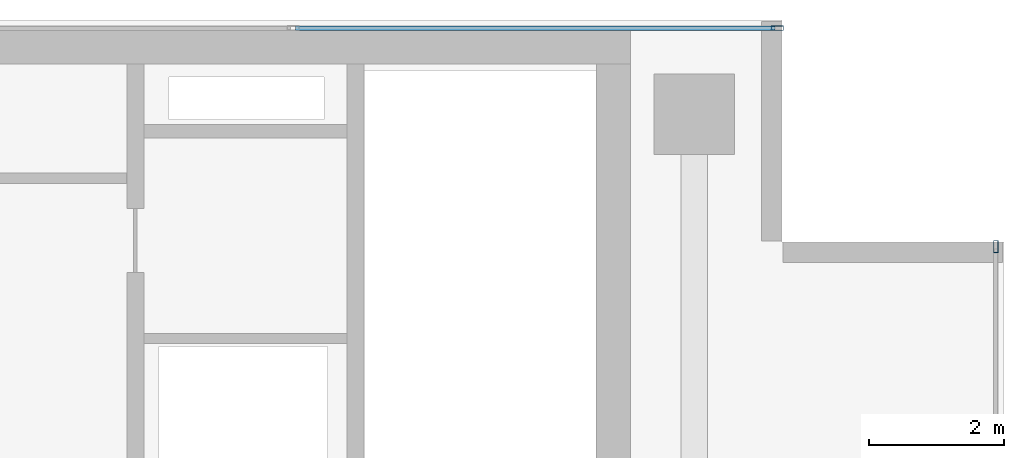
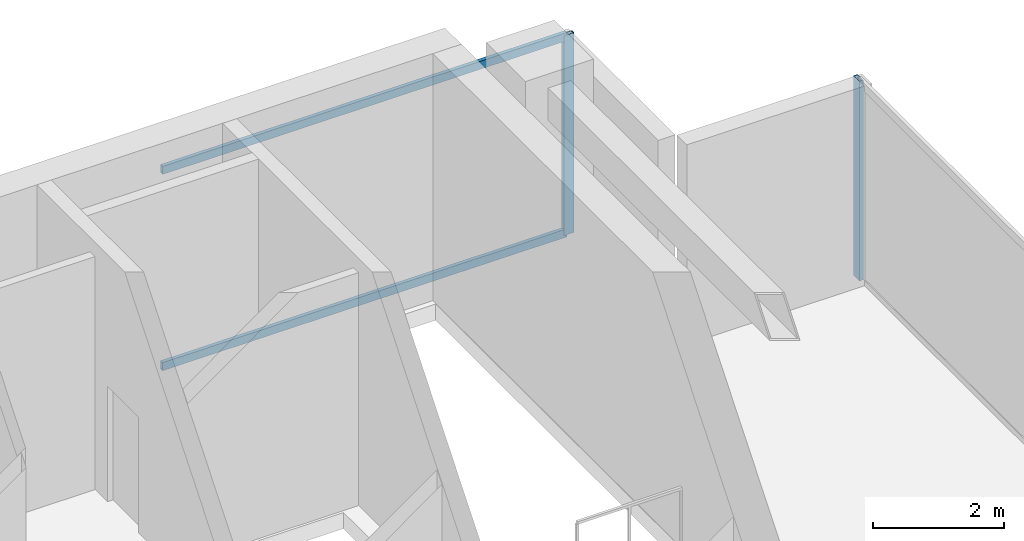
# One storey, part 14 of 19: 4 members, 2 elements without a shape of their own.
"""IFC4 building model written with IfcOpenShell, lengths in metres."""

from ifc_helpers import new_model, si_unit, direction, frame, origin, origin_2d, place, context, subcontext, project, spatial, hollow_rectangle, extrude, source, transform, mapped, material, layer, layer_set, material_profile, profile_set, type_object, element, aggregate, save


model = new_model("IFC4")

# Units and contexts
model_context = context("Model", 3, precision=1e-05, world=origin(), true_north=direction((0.0, 1.0)))
body_context = subcontext(model_context, "Body", "Model", "MODEL_VIEW")
ifc_project = project(units=[si_unit("LENGTHUNIT", "METRE"), si_unit("AREAUNIT", "SQUARE_METRE"), si_unit("VOLUMEUNIT", "CUBIC_METRE"), si_unit("PLANEANGLEUNIT", "RADIAN"), si_unit("MASSUNIT", "GRAM", prefix="KILO")], contexts=[model_context])

# Site, building, storey
site_placement = place(None, origin())
site = spatial("IfcSite", under=ifc_project, at=site_placement, CompositionType="ELEMENT")
building_placement = place(site_placement, origin())
building = spatial("IfcBuilding", under=site, at=building_placement, Name="Sumidabori Civic Tower", CompositionType="ELEMENT")
storey_placement = place(building_placement, frame((0.0, 0.0, 293.60009765625)))
storey = spatial("IfcBuildingStorey", under=building, at=storey_placement, Name="L77", CompositionType="ELEMENT", Elevation=293.60009765625)

# Curtain wall, members
ifc_material = material(Name="Anodised Bronze Aluminium AW-6063-T6", Category="aluminium")
ifc_layer = layer(ifc_material, 0.179931640625, Name="Anodised Bronze Aluminium AW-6063-T6")
ifc_layer_set = layer_set([ifc_layer], Name="Anodised Bronze Aluminium AW-6063-T6")
curtain_wall_type = type_object("IfcCurtainWallType", Name="CW-SYS-6", PredefinedType="NOTDEFINED", material=ifc_layer_set)
curtain_wall_1_placement = place(storey_placement, origin())
curtain_wall_1 = element("IfcCurtainWall", 1, at=curtain_wall_1_placement, inside=storey, type_object=curtain_wall_type, Name="Curtain Wall CW:L77:R07", PredefinedType="NOTDEFINED")
ifc_material_profile_1 = material_profile(ifc_material, hollow_rectangle(XDim=0.06494140625, YDim=0.14990234375, WallThickness=0.0048828125, at=origin_2d()), Name="ALU TRANSOM 150x65")
ifc_profile_set_1 = profile_set([ifc_material_profile_1], Name="Anodised Bronze Aluminium AW-6063-T6")
member_type_1 = type_object("IfcMemberType", Name="CW-TRN-150", PredefinedType="USERDEFINED", material=ifc_profile_set_1)
shared_shape_1 = source(origin(), body_context, "Body", "SweptSolid", [
    extrude(hollow_rectangle(XDim=0.06494140625, YDim=0.14990234375, WallThickness=0.0048828125, at=origin_2d()), origin(), (0.0, 0.0, 1.0), 7.123046875),
])
member_1_placement = place(storey_placement, frame((18.0, 24.080078125, 0.032470703125), z_axis=(-1.0, 0.0, 0.0), x_axis=(0.0, -1.0, 0.0)))
member_1 = element("IfcMember", 2, at=member_1_placement, type_object=member_type_1, Name="CW-6 transom 1.1", ObjectType="TRANSOM", PredefinedType="USERDEFINED", context=body_context, shape_type="MappedRepresentation", body=[
    mapped(shared_shape_1, transform((0.0, 0.0, 0.0), x_axis=(1.0, 0.0, 0.0), y_axis=(0.0, 1.0, 0.0), z_axis=(0.0, 0.0, 1.0), scale=1.0)),
])
member_2_placement = place(storey_placement, frame((18.0, 24.080078125, 3.6875), z_axis=(-1.0, 0.0, 0.0), x_axis=(0.0, -1.0, 0.0)))
member_2 = element("IfcMember", 3, at=member_2_placement, type_object=member_type_1, Name="CW-6 transom 1.2", ObjectType="TRANSOM", PredefinedType="USERDEFINED", context=body_context, shape_type="MappedRepresentation", body=[
    mapped(shared_shape_1, transform((0.0, 0.0, 0.0), x_axis=(1.0, 0.0, 0.0), y_axis=(0.0, 1.0, 0.0), z_axis=(0.0, 0.0, 1.0), scale=1.0)),
])

# Curtain wall, member
curtain_wall_2_placement = place(storey_placement, origin())
curtain_wall_2 = element("IfcCurtainWall", 4, at=curtain_wall_2_placement, inside=storey, type_object=curtain_wall_type, Name="Curtain Wall CW:L77:R04", PredefinedType="NOTDEFINED")
ifc_material_profile_2 = material_profile(ifc_material, hollow_rectangle(XDim=0.070068359375, YDim=0.179931640625, WallThickness=0.006103515625, at=origin_2d()), Name="ALU MULLION 180x70")
ifc_profile_set_2 = profile_set([ifc_material_profile_2], Name="Anodised Bronze Aluminium AW-6063-T6")
member_type_2 = type_object("IfcMemberType", Name="CW-MUL-180", PredefinedType="MULLION", material=ifc_profile_set_2)
shared_shape_2 = source(origin(), body_context, "Body", "SweptSolid", [
    extrude(hollow_rectangle(XDim=0.070068359375, YDim=0.179931640625, WallThickness=0.006103515625, at=origin_2d()), origin(), (0.0, 0.0, 1.0), 3.719970703125),
])
member_3_placement = place(storey_placement, frame((21.280029296875, 20.8349609375, 0.0), z_axis=(0.0, 0.0, 1.0), x_axis=(-1.0, 0.0, 0.0)))
member_3 = element("IfcMember", 5, at=member_3_placement, type_object=member_type_2, Name="CW-6 mullion 5", PredefinedType="MULLION", context=body_context, shape_type="MappedRepresentation", body=[
    mapped(shared_shape_2, transform((0.0, 0.0, 0.0), x_axis=(1.0, 0.0, 0.0), y_axis=(0.0, 1.0, 0.0), z_axis=(0.0, 0.0, 1.0), scale=1.0)),
])
aggregate(curtain_wall_2, [member_3])

# Member
member_4_placement = place(storey_placement, frame((18.034912109375, 24.080078125, 0.0), z_axis=(0.0, 0.0, 1.0), x_axis=(0.0, -1.0, 0.0)))
member_4 = element("IfcMember", 6, at=member_4_placement, type_object=member_type_2, Name="CW-6 mullion 1", PredefinedType="MULLION", context=body_context, shape_type="MappedRepresentation", body=[
    mapped(shared_shape_2, transform((0.0, 0.0, 0.0), x_axis=(1.0, 0.0, 0.0), y_axis=(0.0, 1.0, 0.0), z_axis=(0.0, 0.0, 1.0), scale=1.0)),
])

aggregate(curtain_wall_1, [member_4, member_1, member_2])

save(model, "model.ifc")
